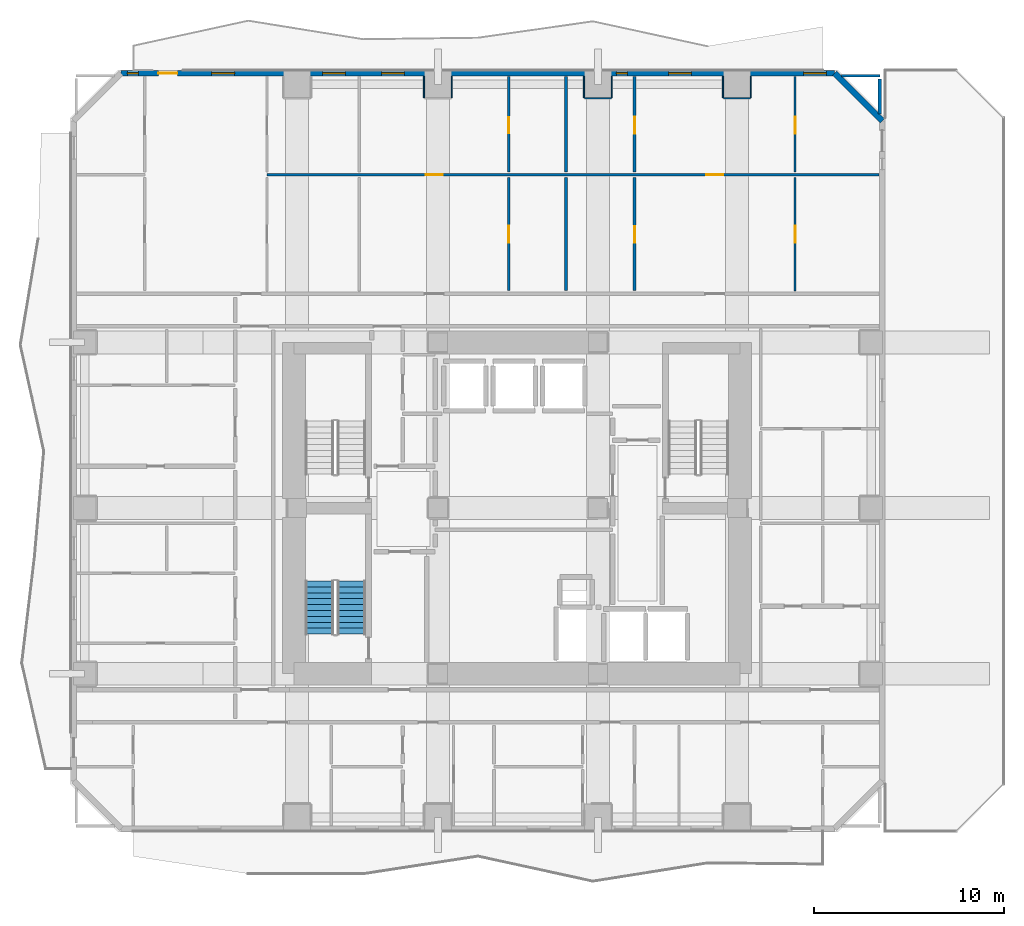
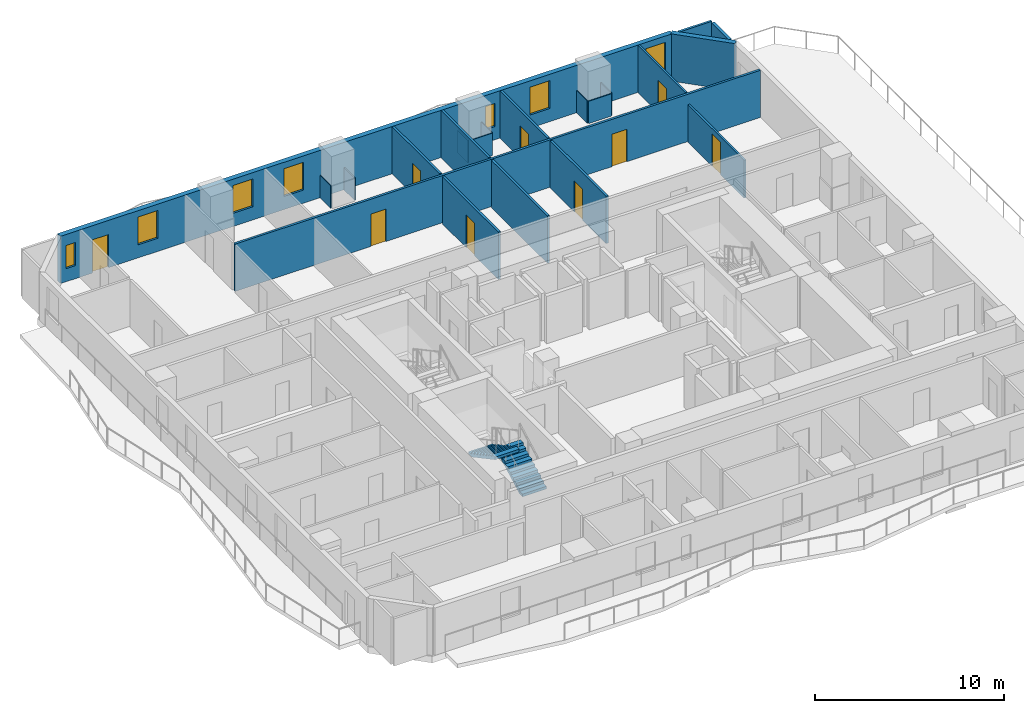
# One storey, part 7 of 12: 21 walls, 9 doors, 7 windows, 2 stair flights, 16 openings, 1 element without a shape of its own.
"""IFC4 building model written with IfcOpenShell, lengths in metres."""

from ifc_helpers import new_model, si_unit, direction, frame, frame_2d, origin, place, context, subcontext, project, spatial, polyline, rectangle, outline, extrude, material, layer, layer_set, type_object, element, fill, aggregate, save


model = new_model("IFC4")

# Units and contexts
model_context = context("Model", 3, precision=1e-05, world=origin(), true_north=direction((0.0, 1.0)))
body_context = subcontext(model_context, "Body", "Model", "MODEL_VIEW")
ifc_project = project(units=[si_unit("LENGTHUNIT", "METRE"), si_unit("AREAUNIT", "SQUARE_METRE"), si_unit("VOLUMEUNIT", "CUBIC_METRE"), si_unit("PLANEANGLEUNIT", "RADIAN"), si_unit("MASSUNIT", "GRAM", prefix="KILO")], contexts=[model_context])

# Site, building, storey
site_placement = place(None, origin())
site = spatial("IfcSite", under=ifc_project, at=site_placement, CompositionType="ELEMENT")
building_placement = place(site_placement, origin())
building = spatial("IfcBuilding", under=site, at=building_placement, Name="Solanera Arch Residences", CompositionType="ELEMENT")
storey_placement = place(building_placement, frame((0.0, 0.0, 81.760009765625)))
storey = spatial("IfcBuildingStorey", under=building, at=storey_placement, Name="L23", CompositionType="ELEMENT", Elevation=81.760009765625)

# Walls
ifc_material_1 = material(Name="Fire-Rated Gypsum Stud Partition", Category="gypsum")
ifc_layer_1 = layer(ifc_material_1, 0.06005859375)
ifc_layer_set_1 = layer_set([ifc_layer_1], Name="Fire-Rated Gypsum Stud Partition")
wall_type_1 = type_object("IfcWallType", Name="Column Acoustic Furring Wall 60", PredefinedType="PARTITIONING", material=ifc_layer_set_1)
for number, where, z_axis, x_axis, name in (
    (1, (20.068115234375, 52.25, 0.0), (0.0, 0.0, 1.0), (0.0, 1.0, 0.0), "L23 Column Furring 12W"),
    (2, (21.531982421875, 52.25, 0.0), (0.0, 0.0, 1.0), (0.0, 1.0, 0.0), "L23 Column Furring 12E"),
):
    element("IfcWall", number, at=place(storey_placement, frame(where, z_axis=z_axis, x_axis=x_axis)), inside=storey, type_object=wall_type_1, Name=name, PredefinedType="PARTITIONING", context=body_context, shape_type="SweptSolid", body=[
        extrude(rectangle(XDim=1.1201171875, YDim=0.06005859375, at=frame_2d((0.56005859375, 0.0))), origin(), (0.0, 0.0, 1.0), 1.449951171875),
    ])
wall_1_placement = place(storey_placement, frame((28.5, 52.218017578125, 0.0), z_axis=(0.0, 0.0, 1.0), x_axis=(1.0, 0.0, 0.0)))
element("IfcWall", 3, at=wall_1_placement, inside=storey, type_object=wall_type_1, Name="L23 Column Furring 14S", PredefinedType="PARTITIONING", context=body_context, shape_type="SweptSolid", body=[
    extrude(rectangle(XDim=1.39990234375, YDim=0.06005859375, at=frame_2d((0.699951171875, 0.0))), origin(), (0.0, 0.0, 1.0), 1.449951171875),
])
for number, where, z_axis, x_axis, name in (
    (4, (28.468017578125, 52.25, 0.0), (0.0, 0.0, 1.0), (0.0, 1.0, 0.0), "L23 Column Furring 14W"),
    (5, (29.931884765625, 52.25, 0.0), (0.0, 0.0, 1.0), (0.0, 1.0, 0.0), "L23 Column Furring 14E"),
):
    element("IfcWall", number, at=place(storey_placement, frame(where, z_axis=z_axis, x_axis=x_axis)), inside=storey, type_object=wall_type_1, Name=name, PredefinedType="PARTITIONING", context=body_context, shape_type="SweptSolid", body=[
        extrude(rectangle(XDim=1.1201171875, YDim=0.06005859375, at=frame_2d((0.56005859375, 0.0))), origin(), (0.0, 0.0, 1.0), 1.449951171875),
    ])
wall_2_placement = place(storey_placement, frame((35.800048828125, 52.218017578125, 0.0), z_axis=(0.0, 0.0, 1.0), x_axis=(1.0, 0.0, 0.0)))
element("IfcWall", 6, at=wall_2_placement, inside=storey, type_object=wall_type_1, Name="L23 Column Furring 16S", PredefinedType="PARTITIONING", context=body_context, shape_type="SweptSolid", body=[
    extrude(rectangle(XDim=1.39990234375, YDim=0.06005859375, at=frame_2d((0.699951171875, 0.0))), origin(), (0.0, 0.0, 1.0), 1.449951171875),
])
for number, where, z_axis, x_axis, name in (
    (7, (35.76806640625, 52.25, 0.0), (0.0, 0.0, 1.0), (0.0, 1.0, 0.0), "L23 Column Furring 16W"),
    (8, (37.23193359375, 52.25, 0.0), (0.0, 0.0, 1.0), (0.0, 1.0, 0.0), "L23 Column Furring 16E"),
):
    element("IfcWall", number, at=place(storey_placement, frame(where, z_axis=z_axis, x_axis=x_axis)), inside=storey, type_object=wall_type_1, Name=name, PredefinedType="PARTITIONING", context=body_context, shape_type="SweptSolid", body=[
        extrude(rectangle(XDim=1.1201171875, YDim=0.06005859375, at=frame_2d((0.56005859375, 0.0))), origin(), (0.0, 0.0, 1.0), 1.449951171875),
    ])
ifc_material_2 = material(Name="Autoclaved Aerated Concrete Blockwork", Category="masonry")
ifc_layer_2 = layer(ifc_material_2, 0.179931640625)
ifc_layer_set_2 = layer_set([ifc_layer_2], Name="Autoclaved Aerated Concrete Blockwork")
wall_type_2 = type_object("IfcWallType", Name="Corridor Fire Partition 180", PredefinedType="PARTITIONING", material=ifc_layer_set_2)
wall_3_placement = place(storey_placement, frame((44.0, 51.39892578125, 0.0), z_axis=(0.0, 0.0, 1.0), x_axis=(0.0, 1.0, 0.0)))
element("IfcWall", 9, at=wall_3_placement, inside=storey, type_object=wall_type_2, Name="L23 Interior Partition V10 2", PredefinedType="PARTITIONING", context=body_context, shape_type="SweptSolid", body=[
    extrude(rectangle(XDim=1.8330078125, YDim=0.179931640625, at=frame_2d((0.91650390625, 0.0))), origin(), (0.0, 0.0, 1.0), 3.06005859375),
])

# Wall, openings, door, windows
ifc_material_3 = material(Name="Precast Concrete C35/45", Category="concrete")
ifc_layer_3 = layer(ifc_material_3, 0.300048828125)
ifc_layer_set_3 = layer_set([ifc_layer_3], Name="Precast Concrete C35/45")
wall_type_3 = type_object("IfcWallType", Name="Exterior Wall Precast Masonry-Frame 300", PredefinedType="STANDARD", material=ifc_layer_set_3)
wall_4_placement = place(storey_placement, frame((4.1650390625, 53.534912109375, 0.0), z_axis=(0.0, 0.0, 1.0), x_axis=(1.0, 0.0, 0.0)))
wall_4 = element("IfcWall", 10, at=wall_4_placement, inside=storey, type_object=wall_type_3, Name="L23 Tower Exterior Precast Masonry-Frame Wall N", PredefinedType="STANDARD", context=body_context, shape_type="SweptSolid", body=[
    extrude(rectangle(XDim=37.469970703125, YDim=0.300048828125, at=frame_2d((18.73486328125, 0.0))), origin(), (0.0, 0.0, 1.0), 3.06005859375),
])
opening_1_placement = place(wall_4_placement, frame((1.950927734375, 0.0, 0.0)))
opening_1 = element("IfcOpeningElement", 11, at=opening_1_placement, cuts=wall_4, Name="Opening DB-01", PredefinedType="OPENING", context=body_context, shape_type="SweptSolid", body=[
    extrude(rectangle(XDim=1.0, YDim=2.14990234375, at=frame_2d((0.5, 1.074951171875))), frame((0.0, 0.159912109375, 0.0), z_axis=(0.0, -1.0, 0.0), x_axis=(1.0, 0.0, 0.0)), (0.0, 0.0, 1.0), 0.32),
])
opening_2_placement = place(wall_4_placement, frame((4.7529296875, 0.0, 0.85009765625)))
opening_2 = element("IfcOpeningElement", 12, at=opening_2_placement, cuts=wall_4, Name="Opening W-01", PredefinedType="OPENING", context=body_context, shape_type="SweptSolid", body=[
    extrude(rectangle(XDim=1.199951171875, YDim=1.800048828125, at=frame_2d((0.60009765625, 0.89990234375))), frame((0.0, 0.159912109375, 0.0), z_axis=(0.0, -1.0, 0.0), x_axis=(1.0, 0.0, 0.0)), (0.0, 0.0, 1.0), 0.32),
])
opening_3_placement = place(wall_4_placement, frame((0.323974609375, 0.0, 0.85009765625)))
opening_3 = element("IfcOpeningElement", 13, at=opening_3_placement, cuts=wall_4, Name="Opening W-14", PredefinedType="OPENING", context=body_context, shape_type="SweptSolid", body=[
    extrude(rectangle(XDim=0.580078125, YDim=1.5, at=frame_2d((0.2900390625, 0.75))), frame((0.0, 0.159912109375, 0.0), z_axis=(0.0, -1.0, 0.0), x_axis=(1.0, 0.0, 0.0)), (0.0, 0.0, 1.0), 0.32),
])
opening_4_placement = place(wall_4_placement, frame((10.571044921875, 0.0, 0.85009765625)))
opening_4 = element("IfcOpeningElement", 14, at=opening_4_placement, cuts=wall_4, Name="Opening W-01", PredefinedType="OPENING", context=body_context, shape_type="SweptSolid", body=[
    extrude(rectangle(XDim=1.199951171875, YDim=1.800048828125, at=frame_2d((0.60009765625, 0.89990234375))), frame((0.0, 0.159912109375, 0.0), z_axis=(0.0, -1.0, 0.0), x_axis=(1.0, 0.0, 0.0)), (0.0, 0.0, 1.0), 0.32),
])
opening_5_placement = place(wall_4_placement, frame((13.6708984375, 0.0, 0.85009765625)))
opening_5 = element("IfcOpeningElement", 15, at=opening_5_placement, cuts=wall_4, Name="Opening W-01", PredefinedType="OPENING", context=body_context, shape_type="SweptSolid", body=[
    extrude(rectangle(XDim=1.199951171875, YDim=1.800048828125, at=frame_2d((0.60009765625, 0.89990234375))), frame((0.0, 0.159912109375, 0.0), z_axis=(0.0, -1.0, 0.0), x_axis=(1.0, 0.0, 0.0)), (0.0, 0.0, 1.0), 0.32),
])
opening_6_placement = place(wall_4_placement, frame((28.7470703125, 0.0, 0.85009765625)))
opening_6 = element("IfcOpeningElement", 16, at=opening_6_placement, cuts=wall_4, Name="Opening W-01", PredefinedType="OPENING", context=body_context, shape_type="SweptSolid", body=[
    extrude(rectangle(XDim=1.199951171875, YDim=1.800048828125, at=frame_2d((0.60009765625, 0.89990234375))), frame((0.0, 0.159912109375, 0.0), z_axis=(0.0, -1.0, 0.0), x_axis=(1.0, 0.0, 0.0)), (0.0, 0.0, 1.0), 0.32),
])
opening_7_placement = place(wall_4_placement, frame((26.007080078125, 0.0, 0.85009765625)))
opening_7 = element("IfcOpeningElement", 17, at=opening_7_placement, cuts=wall_4, Name="Opening W-14", PredefinedType="OPENING", context=body_context, shape_type="SweptSolid", body=[
    extrude(rectangle(XDim=0.580078125, YDim=1.5, at=frame_2d((0.2900390625, 0.75))), frame((0.0, 0.159912109375, 0.0), z_axis=(0.0, -1.0, 0.0), x_axis=(1.0, 0.0, 0.0)), (0.0, 0.0, 1.0), 0.32),
])
opening_8_placement = place(wall_4_placement, frame((35.83203125, 0.0, 0.85009765625)))
opening_8 = element("IfcOpeningElement", 18, at=opening_8_placement, cuts=wall_4, Name="Opening W-01", PredefinedType="OPENING", context=body_context, shape_type="SweptSolid", body=[
    extrude(rectangle(XDim=1.199951171875, YDim=1.800048828125, at=frame_2d((0.60009765625, 0.89990234375))), frame((0.0, 0.159912109375, 0.0), z_axis=(0.0, -1.0, 0.0), x_axis=(1.0, 0.0, 0.0)), (0.0, 0.0, 1.0), 0.32),
])
ifc_material_4 = material(Name="Anodised Aluminium Alloy 6063-T6", Category="aluminium")
door_type_1 = type_object("IfcDoorType", Name="Glazed Balcony Swing Door DB-01", OperationType="NOTDEFINED", PredefinedType="DOOR", material=ifc_material_4)
door_1_placement = place(opening_1_placement, origin())
door_1 = element("IfcDoor", 19, at=door_1_placement, inside=storey, type_object=door_type_1, Name="DR-L23-OUT-03", OperationType="SINGLE_SWING_LEFT", OverallHeight=2.14990234375, OverallWidth=1.0, PredefinedType="DOOR", context=body_context, shape_type="SweptSolid", body=[
    extrude(rectangle(XDim=1.0, YDim=2.14990234375, at=frame_2d((0.5, 1.074951171875))), frame((0.0, 0.02490234375, 0.0), z_axis=(0.0, -1.0, 0.0), x_axis=(1.0, 0.0, 0.0)), (0.0, 0.0, 1.0), 0.050048828125),
])
fill(opening_1, door_1)
ifc_material_5 = material(Name="Double Glazed Low-E Laminated Glass", Category="glass")
window_type_1 = type_object("IfcWindowType", Name="Punched Window W-01", PartitioningType="SINGLE_PANEL", PredefinedType="WINDOW", material=ifc_material_5)
window_1_placement = place(opening_2_placement, origin())
window_1 = element("IfcWindow", 20, at=window_1_placement, inside=storey, type_object=window_type_1, Name="L23 2305-LIV Punched Window", OverallHeight=1.800048828125, OverallWidth=1.199951171875, PartitioningType="SINGLE_PANEL", PredefinedType="WINDOW", context=body_context, shape_type="SweptSolid", body=[
    extrude(rectangle(XDim=1.199951171875, YDim=1.800048828125, at=frame_2d((0.60009765625, 0.89990234375))), frame((0.0, 0.030029296875, 0.0), z_axis=(0.0, -1.0, 0.0), x_axis=(1.0, 0.0, 0.0)), (0.0, 0.0, 1.0), 0.06005859375),
])
fill(opening_2, window_1)
window_2_placement = place(opening_4_placement, origin())
window_2 = element("IfcWindow", 21, at=window_2_placement, inside=storey, type_object=window_type_1, Name="L23 2305-STD Punched Window", OverallHeight=1.800048828125, OverallWidth=1.199951171875, PartitioningType="SINGLE_PANEL", PredefinedType="WINDOW", context=body_context, shape_type="SweptSolid", body=[
    extrude(rectangle(XDim=1.199951171875, YDim=1.800048828125, at=frame_2d((0.60009765625, 0.89990234375))), frame((0.0, 0.030029296875, 0.0), z_axis=(0.0, -1.0, 0.0), x_axis=(1.0, 0.0, 0.0)), (0.0, 0.0, 1.0), 0.06005859375),
])
fill(opening_4, window_2)
window_3_placement = place(opening_5_placement, origin())
window_3 = element("IfcWindow", 22, at=window_3_placement, inside=storey, type_object=window_type_1, Name="L23 2306-LIV Punched Window", OverallHeight=1.800048828125, OverallWidth=1.199951171875, PartitioningType="SINGLE_PANEL", PredefinedType="WINDOW", context=body_context, shape_type="SweptSolid", body=[
    extrude(rectangle(XDim=1.199951171875, YDim=1.800048828125, at=frame_2d((0.60009765625, 0.89990234375))), frame((0.0, 0.030029296875, 0.0), z_axis=(0.0, -1.0, 0.0), x_axis=(1.0, 0.0, 0.0)), (0.0, 0.0, 1.0), 0.06005859375),
])
fill(opening_5, window_3)
window_4_placement = place(opening_6_placement, origin())
window_4 = element("IfcWindow", 23, at=window_4_placement, inside=storey, type_object=window_type_1, Name="L23 2307-LIV Punched Window", OverallHeight=1.800048828125, OverallWidth=1.199951171875, PartitioningType="SINGLE_PANEL", PredefinedType="WINDOW", context=body_context, shape_type="SweptSolid", body=[
    extrude(rectangle(XDim=1.199951171875, YDim=1.800048828125, at=frame_2d((0.60009765625, 0.89990234375))), frame((0.0, 0.030029296875, 0.0), z_axis=(0.0, -1.0, 0.0), x_axis=(1.0, 0.0, 0.0)), (0.0, 0.0, 1.0), 0.06005859375),
])
fill(opening_6, window_4)
window_5_placement = place(opening_8_placement, origin())
window_5 = element("IfcWindow", 24, at=window_5_placement, inside=storey, type_object=window_type_1, Name="L23 2307-STD Punched Window", OverallHeight=1.800048828125, OverallWidth=1.199951171875, PartitioningType="SINGLE_PANEL", PredefinedType="WINDOW", context=body_context, shape_type="SweptSolid", body=[
    extrude(rectangle(XDim=1.199951171875, YDim=1.800048828125, at=frame_2d((0.60009765625, 0.89990234375))), frame((0.0, 0.030029296875, 0.0), z_axis=(0.0, -1.0, 0.0), x_axis=(1.0, 0.0, 0.0)), (0.0, 0.0, 1.0), 0.06005859375),
])
fill(opening_8, window_5)
ifc_material_6 = material(Name="Double Glazed Low-E Laminated Glass", Category="glass")
window_type_2 = type_object("IfcWindowType", Name="Punched Window W-14", PartitioningType="SINGLE_PANEL", PredefinedType="WINDOW", material=ifc_material_6)
window_6_placement = place(opening_3_placement, origin())
window_6 = element("IfcWindow", 25, at=window_6_placement, inside=storey, type_object=window_type_2, Name="L23 2305-BR1 Punched Window", OverallHeight=1.5, OverallWidth=0.580078125, PartitioningType="SINGLE_PANEL", PredefinedType="WINDOW", context=body_context, shape_type="SweptSolid", body=[
    extrude(rectangle(XDim=0.580078125, YDim=1.5, at=frame_2d((0.2900390625, 0.75))), frame((0.0, 0.030029296875, 0.0), z_axis=(0.0, -1.0, 0.0), x_axis=(1.0, 0.0, 0.0)), (0.0, 0.0, 1.0), 0.06005859375),
])
fill(opening_3, window_6)
window_7_placement = place(opening_7_placement, origin())
window_7 = element("IfcWindow", 26, at=window_7_placement, inside=storey, type_object=window_type_2, Name="L23 2307-BR1 Punched Window", OverallHeight=1.5, OverallWidth=0.580078125, PartitioningType="SINGLE_PANEL", PredefinedType="WINDOW", context=body_context, shape_type="SweptSolid", body=[
    extrude(rectangle(XDim=0.580078125, YDim=1.5, at=frame_2d((0.2900390625, 0.75))), frame((0.0, 0.030029296875, 0.0), z_axis=(0.0, -1.0, 0.0), x_axis=(1.0, 0.0, 0.0)), (0.0, 0.0, 1.0), 0.06005859375),
])
fill(opening_7, window_7)

# Wall
wall_5_placement = place(storey_placement, frame((41.635009765625, 53.534912109375, 0.0), z_axis=(0.0, 0.0, 1.0), x_axis=(0.707106781187, -0.707106781187, 0.0)))
element("IfcWall", 27, at=wall_5_placement, inside=storey, type_object=wall_type_3, Name="L23 Tower Exterior Precast Masonry-Frame Wall CH3", PredefinedType="STANDARD", context=body_context, shape_type="SweptSolid", body=[
    extrude(rectangle(XDim=3.53564453125, YDim=0.300048828125, at=frame_2d((1.767822265625, 0.0))), origin(), (0.0, 0.0, 1.0), 3.06005859375),
])

# Wall, opening, door
ifc_material_7 = material(Name="Fire-Rated Gypsum Stud Partition", Category="gypsum")
ifc_layer_4 = layer(ifc_material_7, 0.1201171875)
ifc_layer_set_4 = layer_set([ifc_layer_4], Name="Fire-Rated Gypsum Stud Partition")
wall_type_4 = type_object("IfcWallType", Name="Unit Drywall Partition 120", PredefinedType="PARTITIONING", material=ifc_layer_set_4)
wall_6_placement = place(storey_placement, frame((39.550048828125, 42.10791015625, 0.0), z_axis=(0.0, 0.0, 1.0), x_axis=(0.0, 1.0, 0.0)))
wall_6 = element("IfcWall", 28, at=wall_6_placement, inside=storey, type_object=wall_type_4, Name="L23 Interior Partition V32 1", PredefinedType="PARTITIONING", context=body_context, shape_type="SweptSolid", body=[
    extrude(rectangle(XDim=5.9541015625, YDim=0.1201171875, at=frame_2d((2.97705078125, 0.0))), origin(), (0.0, 0.0, 1.0), 2.445068359375),
])
opening_9_placement = place(wall_6_placement, frame((2.51708984375, 0.0, 0.0)))
opening_9 = element("IfcOpeningElement", 29, at=opening_9_placement, cuts=wall_6, Name="Opening DI-02", PredefinedType="OPENING", context=body_context, shape_type="SweptSolid", body=[
    extrude(rectangle(XDim=0.89990234375, YDim=2.10009765625, at=frame_2d((0.449951171875, 1.050048828125))), frame((0.0, 0.070068359375, 0.0), z_axis=(0.0, -1.0, 0.0), x_axis=(1.0, 0.0, 0.0)), (0.0, 0.0, 1.0), 0.1401),
])
ifc_material_8 = material(Name="Fire-Rated Architectural Hardwood", Category="wood")
door_type_2 = type_object("IfcDoorType", Name="Suite Room Swing Door DI-02", OperationType="NOTDEFINED", PredefinedType="DOOR", material=ifc_material_8)
door_2_placement = place(opening_9_placement, origin())
door_2 = element("IfcDoor", 30, at=door_2_placement, inside=storey, type_object=door_type_2, Name="DR-L23-IN-040", OperationType="SINGLE_SWING_LEFT", OverallHeight=2.10009765625, OverallWidth=0.89990234375, PredefinedType="DOOR", context=body_context, shape_type="SweptSolid", body=[
    extrude(rectangle(XDim=0.89990234375, YDim=2.10009765625, at=frame_2d((0.449951171875, 1.050048828125))), frame((0.0, 0.02490234375, 0.0), z_axis=(0.0, -1.0, 0.0), x_axis=(1.0, 0.0, 0.0)), (0.0, 0.0, 1.0), 0.050048828125),
])
fill(opening_9, door_2)

wall_7_placement = place(storey_placement, frame((39.550048828125, 48.337890625, 0.0), z_axis=(0.0, 0.0, 1.0), x_axis=(0.0, 1.0, 0.0)))
wall_7 = element("IfcWall", 31, at=wall_7_placement, inside=storey, type_object=wall_type_4, Name="L23 Interior Partition V32 2", PredefinedType="PARTITIONING", context=body_context, shape_type="SweptSolid", body=[
    extrude(rectangle(XDim=5.03515625, YDim=0.1201171875, at=frame_2d((2.517578125, 0.0))), origin(), (0.0, 0.0, 1.0), 3.06005859375),
])
opening_10_placement = place(wall_7_placement, frame((2.011962890625, 0.0, 0.0)))
opening_10 = element("IfcOpeningElement", 32, at=opening_10_placement, cuts=wall_7, Name="Opening DI-02", PredefinedType="OPENING", context=body_context, shape_type="SweptSolid", body=[
    extrude(rectangle(XDim=0.89990234375, YDim=2.10009765625, at=frame_2d((0.449951171875, 1.050048828125))), frame((0.0, 0.070068359375, 0.0), z_axis=(0.0, -1.0, 0.0), x_axis=(1.0, 0.0, 0.0)), (0.0, 0.0, 1.0), 0.1401),
])
door_3_placement = place(opening_10_placement, origin())
door_3 = element("IfcDoor", 33, at=door_3_placement, inside=storey, type_object=door_type_2, Name="DR-L23-IN-041", OperationType="SINGLE_SWING_RIGHT", OverallHeight=2.10009765625, OverallWidth=0.89990234375, PredefinedType="DOOR", context=body_context, shape_type="SweptSolid", body=[
    extrude(rectangle(XDim=0.89990234375, YDim=2.10009765625, at=frame_2d((0.449951171875, 1.050048828125))), frame((0.0, 0.02490234375, 0.0), z_axis=(0.0, -1.0, 0.0), x_axis=(1.0, 0.0, 0.0)), (0.0, 0.0, 1.0), 0.050048828125),
])
fill(opening_10, door_3)

# Wall, openings, doors
ifc_material_9 = material(Name="Autoclaved Aerated Concrete Blockwork", Category="masonry")
ifc_layer_5 = layer(ifc_material_9, 0.139892578125)
ifc_layer_set_5 = layer_set([ifc_layer_5], Name="Autoclaved Aerated Concrete Blockwork")
wall_type_5 = type_object("IfcWallType", Name="Wet-Room Partition 140", PredefinedType="PARTITIONING", material=ifc_layer_set_5)
wall_8_placement = place(storey_placement, frame((11.820068359375, 48.199951171875, 0.0), z_axis=(0.0, 0.0, 1.0), x_axis=(1.0, 0.0, 0.0)))
wall_8 = element("IfcWall", 34, at=wall_8_placement, inside=storey, type_object=wall_type_5, Name="L23 Interior Partition H26", PredefinedType="PARTITIONING", context=body_context, shape_type="SweptSolid", body=[
    extrude(rectangle(XDim=32.15283203125, YDim=0.139892578125, at=frame_2d((16.076416015625, 0.0))), origin(), (0.0, 0.0, 1.0), 3.06005859375),
])
opening_11_placement = place(wall_8_placement, frame((8.326904296875, 0.0, 0.0)))
opening_11 = element("IfcOpeningElement", 35, at=opening_11_placement, cuts=wall_8, Name="Opening DI-02", PredefinedType="OPENING", context=body_context, shape_type="SweptSolid", body=[
    extrude(rectangle(XDim=0.89990234375, YDim=2.10009765625, at=frame_2d((0.449951171875, 1.050048828125))), frame((0.0, 0.079833984375, 0.0), z_axis=(0.0, -1.0, 0.0), x_axis=(1.0, 0.0, 0.0)), (0.0, 0.0, 1.0), 0.1599),
])
opening_12_placement = place(wall_8_placement, frame((23.06689453125, 0.0, 0.0)))
opening_12 = element("IfcOpeningElement", 36, at=opening_12_placement, cuts=wall_8, Name="Opening DI-02", PredefinedType="OPENING", context=body_context, shape_type="SweptSolid", body=[
    extrude(rectangle(XDim=0.89990234375, YDim=2.10009765625, at=frame_2d((0.449951171875, 1.050048828125))), frame((0.0, 0.079833984375, 0.0), z_axis=(0.0, -1.0, 0.0), x_axis=(1.0, 0.0, 0.0)), (0.0, 0.0, 1.0), 0.1599),
])
door_4_placement = place(opening_11_placement, origin())
door_4 = element("IfcDoor", 37, at=door_4_placement, inside=storey, type_object=door_type_2, Name="DR-L23-IN-033", OperationType="SINGLE_SWING_RIGHT", OverallHeight=2.10009765625, OverallWidth=0.89990234375, PredefinedType="DOOR", context=body_context, shape_type="SweptSolid", body=[
    extrude(rectangle(XDim=0.89990234375, YDim=2.10009765625, at=frame_2d((0.449951171875, 1.050048828125))), frame((0.0, 0.02490234375, 0.0), z_axis=(0.0, -1.0, 0.0), x_axis=(1.0, 0.0, 0.0)), (0.0, 0.0, 1.0), 0.050048828125),
])
fill(opening_11, door_4)
door_5_placement = place(opening_12_placement, origin())
door_5 = element("IfcDoor", 38, at=door_5_placement, inside=storey, type_object=door_type_2, Name="DR-L23-IN-037", OperationType="SINGLE_SWING_RIGHT", OverallHeight=2.10009765625, OverallWidth=0.89990234375, PredefinedType="DOOR", context=body_context, shape_type="SweptSolid", body=[
    extrude(rectangle(XDim=0.89990234375, YDim=2.10009765625, at=frame_2d((0.449951171875, 1.050048828125))), frame((0.0, 0.02490234375, 0.0), z_axis=(0.0, -1.0, 0.0), x_axis=(1.0, 0.0, 0.0)), (0.0, 0.0, 1.0), 0.050048828125),
])
fill(opening_12, door_5)

# Wall
wall_9_placement = place(storey_placement, frame((41.9990234375, 53.39990234375, 0.0), z_axis=(0.0, 0.0, 1.0), x_axis=(1.0, 0.0, 0.0)))
element("IfcWall", 39, at=wall_9_placement, inside=storey, type_object=wall_type_5, Name="L23 Interior Partition H27 2", PredefinedType="PARTITIONING", context=body_context, shape_type="SweptSolid", body=[
    extrude(rectangle(XDim=2.0009765625, YDim=0.139892578125, at=frame_2d((1.00048828125, 0.0))), origin(), (0.0, 0.0, 1.0), 3.06005859375),
])

# Wall, opening, door
wall_10_placement = place(storey_placement, frame((24.52001953125, 42.117919921875, 0.0), z_axis=(0.0, 0.0, 1.0), x_axis=(0.0, 1.0, 0.0)))
wall_10 = element("IfcWall", 40, at=wall_10_placement, inside=storey, type_object=wall_type_5, Name="L23 Interior Partition V20 1", PredefinedType="PARTITIONING", context=body_context, shape_type="SweptSolid", body=[
    extrude(rectangle(XDim=5.93408203125, YDim=0.139892578125, at=frame_2d((2.967041015625, 0.0))), origin(), (0.0, 0.0, 1.0), 3.06005859375),
])
opening_13_placement = place(wall_10_placement, frame((2.507080078125, 0.0, 0.0)))
opening_13 = element("IfcOpeningElement", 41, at=opening_13_placement, cuts=wall_10, Name="Opening DI-02", PredefinedType="OPENING", context=body_context, shape_type="SweptSolid", body=[
    extrude(rectangle(XDim=0.89990234375, YDim=2.10009765625, at=frame_2d((0.449951171875, 1.050048828125))), frame((0.0, 0.079833984375, 0.0), z_axis=(0.0, -1.0, 0.0), x_axis=(1.0, 0.0, 0.0)), (0.0, 0.0, 1.0), 0.1599),
])
door_6_placement = place(opening_13_placement, origin())
door_6 = element("IfcDoor", 42, at=door_6_placement, inside=storey, type_object=door_type_2, Name="DR-L23-IN-034", OperationType="SINGLE_SWING_LEFT", OverallHeight=2.10009765625, OverallWidth=0.89990234375, PredefinedType="DOOR", context=body_context, shape_type="SweptSolid", body=[
    extrude(rectangle(XDim=0.89990234375, YDim=2.10009765625, at=frame_2d((0.449951171875, 1.050048828125))), frame((0.0, 0.02490234375, 0.0), z_axis=(0.0, -1.0, 0.0), x_axis=(1.0, 0.0, 0.0)), (0.0, 0.0, 1.0), 0.050048828125),
])
fill(opening_13, door_6)

wall_11_placement = place(storey_placement, frame((24.52001953125, 48.347900390625, 0.0), z_axis=(0.0, 0.0, 1.0), x_axis=(0.0, 1.0, 0.0)))
wall_11 = element("IfcWall", 43, at=wall_11_placement, inside=storey, type_object=wall_type_5, Name="L23 Interior Partition V20 2", PredefinedType="PARTITIONING", context=body_context, shape_type="SweptSolid", body=[
    extrude(rectangle(XDim=5.025146484375, YDim=0.139892578125, at=frame_2d((2.5126953125, 0.0))), origin(), (0.0, 0.0, 1.0), 3.06005859375),
])
opening_14_placement = place(wall_11_placement, frame((2.02197265625, 0.0, 0.0)))
opening_14 = element("IfcOpeningElement", 44, at=opening_14_placement, cuts=wall_11, Name="Opening DI-05", PredefinedType="OPENING", context=body_context, shape_type="SweptSolid", body=[
    extrude(rectangle(XDim=0.860107421875, YDim=2.02001953125, at=frame_2d((0.43017578125, 1.010009765625))), frame((0.0, 0.079833984375, 0.0), z_axis=(0.0, -1.0, 0.0), x_axis=(1.0, 0.0, 0.0)), (0.0, 0.0, 1.0), 0.1599),
])
ifc_material_10 = material(Name="Fire-Rated Architectural Hardwood", Category="wood")
door_type_3 = type_object("IfcDoorType", Name="Bathroom Swing Door DI-05", OperationType="NOTDEFINED", PredefinedType="DOOR", material=ifc_material_10)
door_7_placement = place(opening_14_placement, origin())
door_7 = element("IfcDoor", 45, at=door_7_placement, inside=storey, type_object=door_type_3, Name="DR-L23-IN-035", OperationType="SINGLE_SWING_RIGHT", OverallHeight=2.02001953125, OverallWidth=0.860107421875, PredefinedType="DOOR", context=body_context, shape_type="SweptSolid", body=[
    extrude(rectangle(XDim=0.860107421875, YDim=2.02001953125, at=frame_2d((0.43017578125, 1.010009765625))), frame((0.0, 0.02490234375, 0.0), z_axis=(0.0, -1.0, 0.0), x_axis=(1.0, 0.0, 0.0)), (0.0, 0.0, 1.0), 0.050048828125),
])
fill(opening_14, door_7)

# Walls
wall_12_placement = place(storey_placement, frame((27.52001953125, 42.117919921875, 0.0), z_axis=(0.0, 0.0, 1.0), x_axis=(0.0, 1.0, 0.0)))
element("IfcWall", 46, at=wall_12_placement, inside=storey, type_object=wall_type_5, Name="L23 Interior Partition V21 1", PredefinedType="PARTITIONING", context=body_context, shape_type="SweptSolid", body=[
    extrude(rectangle(XDim=5.93408203125, YDim=0.139892578125, at=frame_2d((2.967041015625, 0.0))), origin(), (0.0, 0.0, 1.0), 3.06005859375),
])
wall_13_placement = place(storey_placement, frame((27.52001953125, 48.347900390625, 0.0), z_axis=(0.0, 0.0, 1.0), x_axis=(0.0, 1.0, 0.0)))
element("IfcWall", 47, at=wall_13_placement, inside=storey, type_object=wall_type_5, Name="L23 Interior Partition V21 2", PredefinedType="PARTITIONING", context=body_context, shape_type="SweptSolid", body=[
    extrude(rectangle(XDim=5.025146484375, YDim=0.139892578125, at=frame_2d((2.5126953125, 0.0))), origin(), (0.0, 0.0, 1.0), 3.06005859375),
])

# Wall, opening, door
wall_14_placement = place(storey_placement, frame((31.1240234375, 42.117919921875, 0.0), z_axis=(0.0, 0.0, 1.0), x_axis=(0.0, 1.0, 0.0)))
wall_14 = element("IfcWall", 48, at=wall_14_placement, inside=storey, type_object=wall_type_5, Name="L23 Interior Partition V24 1", PredefinedType="PARTITIONING", context=body_context, shape_type="SweptSolid", body=[
    extrude(rectangle(XDim=5.93408203125, YDim=0.139892578125, at=frame_2d((2.967041015625, 0.0))), origin(), (0.0, 0.0, 1.0), 3.06005859375),
])
opening_15_placement = place(wall_14_placement, frame((2.527099609375, 0.0, 0.0)))
opening_15 = element("IfcOpeningElement", 49, at=opening_15_placement, cuts=wall_14, Name="Opening DI-05", PredefinedType="OPENING", context=body_context, shape_type="SweptSolid", body=[
    extrude(rectangle(XDim=0.860107421875, YDim=2.02001953125, at=frame_2d((0.43017578125, 1.010009765625))), frame((0.0, 0.079833984375, 0.0), z_axis=(0.0, -1.0, 0.0), x_axis=(1.0, 0.0, 0.0)), (0.0, 0.0, 1.0), 0.1599),
])
door_8_placement = place(opening_15_placement, origin())
door_8 = element("IfcDoor", 50, at=door_8_placement, inside=storey, type_object=door_type_3, Name="DR-L23-IN-038", OperationType="SINGLE_SWING_LEFT", OverallHeight=2.02001953125, OverallWidth=0.860107421875, PredefinedType="DOOR", context=body_context, shape_type="SweptSolid", body=[
    extrude(rectangle(XDim=0.860107421875, YDim=2.02001953125, at=frame_2d((0.43017578125, 1.010009765625))), frame((0.0, 0.02490234375, 0.0), z_axis=(0.0, -1.0, 0.0), x_axis=(1.0, 0.0, 0.0)), (0.0, 0.0, 1.0), 0.050048828125),
])
fill(opening_15, door_8)

wall_15_placement = place(storey_placement, frame((31.1240234375, 48.347900390625, 0.0), z_axis=(0.0, 0.0, 1.0), x_axis=(0.0, 1.0, 0.0)))
wall_15 = element("IfcWall", 51, at=wall_15_placement, inside=storey, type_object=wall_type_5, Name="L23 Interior Partition V24 2", PredefinedType="PARTITIONING", context=body_context, shape_type="SweptSolid", body=[
    extrude(rectangle(XDim=5.025146484375, YDim=0.139892578125, at=frame_2d((2.5126953125, 0.0))), origin(), (0.0, 0.0, 1.0), 3.06005859375),
])
opening_16_placement = place(wall_15_placement, frame((2.001953125, 0.0, 0.0)))
opening_16 = element("IfcOpeningElement", 52, at=opening_16_placement, cuts=wall_15, Name="Opening DI-03", PredefinedType="OPENING", context=body_context, shape_type="SweptSolid", body=[
    extrude(rectangle(XDim=0.89990234375, YDim=2.10009765625, at=frame_2d((0.449951171875, 1.050048828125))), frame((0.0, 0.079833984375, 0.0), z_axis=(0.0, -1.0, 0.0), x_axis=(1.0, 0.0, 0.0)), (0.0, 0.0, 1.0), 0.1599),
])
ifc_material_11 = material(Name="Fire-Rated Architectural Hardwood", Category="wood")
door_type_4 = type_object("IfcDoorType", Name="Bedroom Swing Door DI-03", OperationType="NOTDEFINED", PredefinedType="DOOR", material=ifc_material_11)
door_9_placement = place(opening_16_placement, origin())
door_9 = element("IfcDoor", 53, at=door_9_placement, inside=storey, type_object=door_type_4, Name="DR-L23-IN-039", OperationType="SINGLE_SWING_RIGHT", OverallHeight=2.10009765625, OverallWidth=0.89990234375, PredefinedType="DOOR", context=body_context, shape_type="SweptSolid", body=[
    extrude(rectangle(XDim=0.89990234375, YDim=2.10009765625, at=frame_2d((0.449951171875, 1.050048828125))), frame((0.0, 0.02490234375, 0.0), z_axis=(0.0, -1.0, 0.0), x_axis=(1.0, 0.0, 0.0)), (0.0, 0.0, 1.0), 0.050048828125),
])
fill(opening_16, door_9)

# Stair, stair flights
ifc_material_12 = material(Name="Concrete C40/50 (f'c = 45 MPa)", Category="concrete")
stair_type = type_object("IfcStairType", Name="Tower Dogleg Exit Stair 1480", PredefinedType="HALF_TURN_STAIR", material=ifc_material_12)
stair_placement = place(storey_placement, origin())
stair = element("IfcStair", 54, at=stair_placement, inside=storey, type_object=stair_type, Name="L23 Tower Core Exit Stair 3", PredefinedType="HALF_TURN_STAIR")
ifc_material_13 = material(Name="Concrete C40/50 (f'c = 45 MPa)", Category="concrete")
stair_flight_type = type_object("IfcStairFlightType", Name="Tower Precast Stair Flight 1480", PredefinedType="STRAIGHT", material=ifc_material_13)
stair_flight_1_placement = place(storey_placement, frame((16.260009765625, 24.080078125, 0.0), z_axis=(0.0, 0.0, 1.0), x_axis=(0.0, 1.0, 0.0)))
stair_flight_1 = element("IfcStairFlight", 55, at=stair_flight_1_placement, type_object=stair_flight_type, Name="ST-T3 flight 1", NumberOfRisers=10, NumberOfTreads=9, PredefinedType="STRAIGHT", RiserHeight=0.166, TreadLength=0.31, context=body_context, shape_type="SweptSolid", body=[
    extrude(outline(polyline([(0.0, 0.0), (0.0, 0.166015625), (0.31005859375, 0.166015625), (0.31005859375, 0.33203125), (0.6201171875, 0.33203125), (0.6201171875, 0.498046875), (0.929931640625, 0.498046875), (0.929931640625, 0.6640625), (1.239990234375, 0.6640625), (1.239990234375, 0.830078125), (1.550048828125, 0.830078125), (1.550048828125, 0.99609375), (1.860107421875, 0.99609375), (1.860107421875, 1.162109375), (2.169921875, 1.162109375), (2.169921875, 1.327880859375), (2.47998046875, 1.327880859375), (2.47998046875, 1.493896484375), (2.7900390625, 1.493896484375), (2.7900390625, 1.659912109375), (2.7900390625, 1.323974609375), (0.317626953125, 0.0), (0.0, 0.0)])), frame((0.0, 0.739990234375, 0.0), z_axis=(0.0, -1.0, 0.0), x_axis=(1.0, 0.0, 0.0)), (0.0, 0.0, 1.0), 1.47998046875),
])
stair_flight_2_placement = place(storey_placement, frame((14.580078125, 26.8701171875, 1.659912109375), z_axis=(0.0, 0.0, 1.0), x_axis=(0.0, -1.0, 0.0)))
stair_flight_2 = element("IfcStairFlight", 56, at=stair_flight_2_placement, type_object=stair_flight_type, Name="ST-T3 flight 2", NumberOfRisers=10, NumberOfTreads=9, PredefinedType="STRAIGHT", RiserHeight=0.166, TreadLength=0.31, context=body_context, shape_type="SweptSolid", body=[
    extrude(outline(polyline([(0.0, 0.0), (0.0, 0.166015625), (0.31005859375, 0.166015625), (0.31005859375, 0.33203125), (0.6201171875, 0.33203125), (0.6201171875, 0.498046875), (0.929931640625, 0.498046875), (0.929931640625, 0.6640625), (1.239990234375, 0.6640625), (1.239990234375, 0.830078125), (1.550048828125, 0.830078125), (1.550048828125, 0.99609375), (1.860107421875, 0.99609375), (1.860107421875, 1.162109375), (2.169921875, 1.162109375), (2.169921875, 1.327880859375), (2.47998046875, 1.327880859375), (2.47998046875, 1.493896484375), (2.7900390625, 1.493896484375), (2.7900390625, 1.659912109375), (2.7900390625, 1.323974609375), (0.317626953125, 0.0), (0.0, 0.0)])), frame((0.0, 0.739990234375, 0.0), z_axis=(0.0, -1.0, 0.0), x_axis=(1.0, 0.0, 0.0)), (0.0, 0.0, 1.0), 1.47998046875),
])
aggregate(stair, [stair_flight_1, stair_flight_2])

save(model, "model.ifc")
